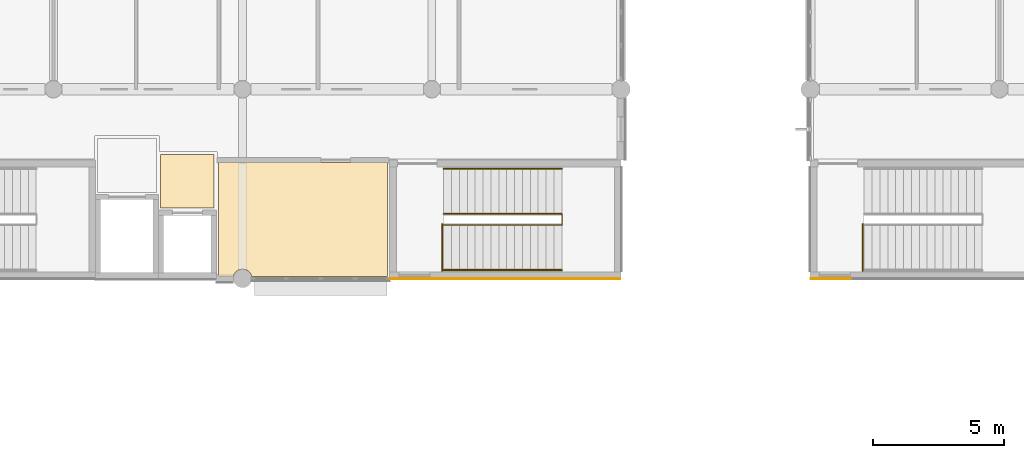
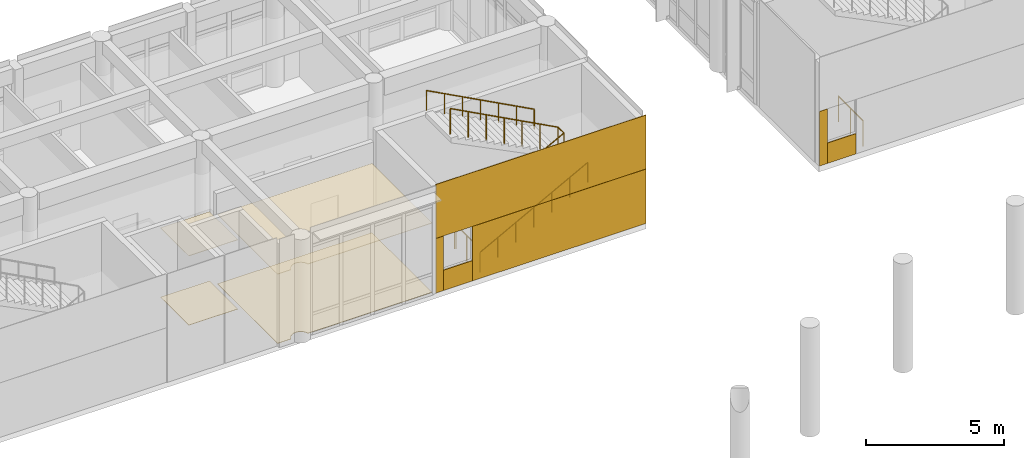
# One storey, part 83 of 92: 10 coverings, 5 railings.
"""IFC4 building model written with IfcOpenShell, lengths in metres."""

import ifcopenshell
import ifcopenshell.guid

model = None  # the IFC model being written
_history = None  # IfcOwnerHistory: only IFC2X3 demands one
_inside = {}  # id of a spatial element -> (the spatial element, [elements in it])
_under = {}  # id of a project, library or spatial element -> (it, [spatial elements below it])
_declared = {}  # id of a project -> (the project, [libraries it declares])
_typed = {}  # id of a type object -> (the type object, [elements of that type])
_made_of = {}  # id of a material, layer set ... -> (it, [elements and type objects made of it])


def new_model(schema):
    """Start an empty IFC model of exactly this schema.

    Asked for "IFC4X3", IfcOpenShell would pick the latest addendum, in which some entities
    have other attributes; the version numbers below select the first issue.
    IFC2X3 requires an IfcOwnerHistory on every rooted entity: one is made here for all.
    """
    global model, _history
    if schema == "IFC4X3":
        model = ifcopenshell.file(schema_version=(4, 3, 0, 0))
    else:
        model = ifcopenshell.file(schema=schema)
    _inside.clear()
    _under.clear()
    _declared.clear()
    _typed.clear()
    _made_of.clear()
    _history = None
    if model.schema == "IFC2X3":
        org = make("IfcOrganization", Name="unknown")
        user = make(
            "IfcPersonAndOrganization",
            ThePerson=make("IfcPerson", FamilyName="unknown"),
            TheOrganization=org,
        )
        app = make(
            "IfcApplication",
            ApplicationDeveloper=org,
            Version="unknown",
            ApplicationFullName="unknown",
            ApplicationIdentifier="unknown",
        )
        _history = make(
            "IfcOwnerHistory",
            OwningUser=user,
            OwningApplication=app,
            ChangeAction="ADDED",
            CreationDate=0,
        )
    return model


def make(cls, **values):
    """One entity of the class cls with the attributes given. An attribute that is None is left unset."""
    return model.create_entity(
        cls, **{name: value for name, value in values.items() if value is not None}
    )


def rooted(cls, **values):
    """An entity with a GlobalId (a new one), such as an element, a storey or a relation."""
    return make(cls, GlobalId=ifcopenshell.guid.new(), OwnerHistory=_history, **values)


def si_unit(unit_type, name, prefix=None):
    """IfcSIUnit, for example si_unit("LENGTHUNIT", "METRE", prefix="MILLI")."""
    return make("IfcSIUnit", UnitType=unit_type, Prefix=prefix, Name=name)


def assignment(units):
    """IfcUnitAssignment: the units of a project."""
    return None if units is None else make("IfcUnitAssignment", Units=units)


def point(xyz):
    """IfcCartesianPoint."""
    return None if xyz is None else make("IfcCartesianPoint", Coordinates=xyz)


def direction(xyz):
    """IfcDirection."""
    return None if xyz is None else make("IfcDirection", DirectionRatios=xyz)


def frame(location, z_axis=None, x_axis=None):
    """IfcAxis2Placement3D, a coordinate frame: its origin and axes. An axis left out is left unset."""
    return make(
        "IfcAxis2Placement3D",
        Location=point(location),
        Axis=direction(z_axis),
        RefDirection=direction(x_axis),
    )


def frame_2d(location, x_axis=None):
    """IfcAxis2Placement2D, a coordinate frame in the plane: its origin and x axis."""
    return make(
        "IfcAxis2Placement2D", Location=point(location), RefDirection=direction(x_axis)
    )


def origin():
    """The frame at (0, 0, 0) with its axes left unset."""
    return frame((0.0, 0.0, 0.0))


def origin_2d():
    """The frame at (0, 0) in the plane with its x axis left unset."""
    return frame_2d((0.0, 0.0))


def place(relative_to, where):
    """IfcLocalPlacement: puts the frame where relative to a parent placement (None: the world)."""
    return make(
        "IfcLocalPlacement", PlacementRelTo=relative_to, RelativePlacement=where
    )


def context(
    kind, dimensions, precision=None, world=None, true_north=None, identifier=None
):
    """IfcGeometricRepresentationContext, for example the 3D "Model" context."""
    return make(
        "IfcGeometricRepresentationContext",
        ContextIdentifier=identifier,
        ContextType=kind,
        CoordinateSpaceDimension=dimensions,
        Precision=precision,
        WorldCoordinateSystem=world,
        TrueNorth=true_north,
    )


def subcontext(parent, identifier, kind, view, scale=None):
    """IfcGeometricRepresentationSubContext, for example "Body" below "Model"."""
    return make(
        "IfcGeometricRepresentationSubContext",
        ContextIdentifier=identifier,
        ContextType=kind,
        ParentContext=parent,
        TargetScale=scale,
        TargetView=view,
    )


def project(units=None, contexts=None):
    """IfcProject with its units and contexts."""
    return rooted(
        "IfcProject",
        Name="project",
        RepresentationContexts=contexts,
        UnitsInContext=assignment(units),
    )


def spatial(cls, under=None, at=None, **own):
    """A site, building, storey or space (cls), placed at a placement, below another one or the project."""
    s = rooted(cls, ObjectPlacement=at, **own)
    if under is not None:
        _under.setdefault(under.id(), (under, []))[1].append(s)
    return s


def polyline(points):
    """IfcPolyline through the points."""
    return make("IfcPolyline", Points=[point(p) for p in points])


def profile(cls, at=None, kind="AREA", **sizes):
    """A parametric profile (cls). Its sizes go by their IFC names, for example OverallWidth=200.0."""
    return make(cls, ProfileType=kind, Position=at, **sizes)


def rectangle(**sizes):
    """IfcRectangleProfileDef."""
    return profile("IfcRectangleProfileDef", **sizes)


def circle(**sizes):
    """IfcCircleProfileDef."""
    return profile("IfcCircleProfileDef", **sizes)


def outline(outer, holes=None, kind="AREA"):
    """IfcArbitraryClosedProfileDef: a profile drawn as a closed curve; with holes, ...WithVoids."""
    if holes is None:
        return make("IfcArbitraryClosedProfileDef", ProfileType=kind, OuterCurve=outer)
    return make(
        "IfcArbitraryProfileDefWithVoids",
        ProfileType=kind,
        OuterCurve=outer,
        InnerCurves=holes,
    )


def extrude(swept, where, along, depth):
    """IfcExtrudedAreaSolid: the profile swept, set in the frame where, extruded along a direction by depth."""
    return make(
        "IfcExtrudedAreaSolid",
        SweptArea=swept,
        Position=where,
        ExtrudedDirection=direction(along),
        Depth=depth,
    )


def shape(context_of_items, identifier, shape_type, items):
    """IfcShapeRepresentation: the items that make up one representation, for example the "Body"."""
    return make(
        "IfcShapeRepresentation",
        ContextOfItems=context_of_items,
        RepresentationIdentifier=identifier,
        RepresentationType=shape_type,
        Items=items,
    )


def material(Name=None, Category=None):
    """IfcMaterial."""
    return make("IfcMaterial", Name=Name, Category=Category)


def layer(
    of_material, thickness, ventilated=None, Name=None, Category=None, Priority=None
):
    """IfcMaterialLayer: one layer of a wall or slab, of a material (None: an air gap)."""
    return make(
        "IfcMaterialLayer",
        Material=of_material,
        LayerThickness=thickness,
        IsVentilated=ventilated,
        Name=Name,
        Category=Category,
        Priority=Priority,
    )


def layer_set(layers, Name=None):
    """IfcMaterialLayerSet."""
    return make("IfcMaterialLayerSet", MaterialLayers=layers, LayerSetName=Name)


def made_of(thing, what):
    """Note that an element or type object is made of a material, layer set ...; save() writes the relation."""
    if what is not None:
        _made_of.setdefault(what.id(), (what, []))[1].append(thing)
    return thing


def type_object(cls, material=None, **own):
    """A type object (cls), such as IfcWallType, which elements share."""
    return made_of(rooted(cls, **own), material)


def element(
    cls,
    number,
    at=None,
    inside=None,
    cuts=None,
    type_object=None,
    material=None,
    context=None,
    identifier="Body",
    shape_type=None,
    held_by="IfcProductDefinitionShape",
    body=None,
    shapes=None,
    **own,
):
    """One element of the class cls, such as IfcWall. Its Tag is "e" and its number.

    at: its placement. inside: the storey or other place that contains it. cuts: it is an
    opening in that element (IfcRelVoidsElement). A single representation is given by context,
    identifier, shape_type and body (its items); several are given by shapes. held_by: the class
    of the entity that holds the representations. save() writes the other relations.
    """
    e = rooted(cls, Tag="e%d" % number, ObjectPlacement=at, **own)
    if body is not None:
        shapes = [shape(context, identifier, shape_type, body)]
    if shapes is not None:
        e.Representation = make(held_by, Representations=shapes)
    if inside is not None:
        _inside.setdefault(inside.id(), (inside, []))[1].append(e)
    if cuts is not None:
        rooted(
            "IfcRelVoidsElement", RelatingBuildingElement=cuts, RelatedOpeningElement=e
        )
    if type_object is not None:
        _typed.setdefault(type_object.id(), (type_object, []))[1].append(e)
    return made_of(e, material)


def aggregate(whole, parts):
    """IfcRelAggregates: a whole, such as a stair, and the parts it consists of."""
    return rooted("IfcRelAggregates", RelatingObject=whole, RelatedObjects=parts)


def save(model, path):
    """Write the relations noted so far, then the file.

    IfcRelAggregates (storeys below a building ...), IfcRelContainedInSpatialStructure (elements
    in a storey), IfcRelDefinesByType, IfcRelAssociatesMaterial and IfcRelDeclares: one each for
    every whole, place, type object, material and project.
    """
    for whole, parts in _under.values():
        aggregate(whole, parts)
    for where, things in _inside.values():
        rooted(
            "IfcRelContainedInSpatialStructure",
            RelatedElements=things,
            RelatingStructure=where,
        )
    for kind, things in _typed.values():
        rooted("IfcRelDefinesByType", RelatedObjects=things, RelatingType=kind)
    for what, things in _made_of.values():
        rooted("IfcRelAssociatesMaterial", RelatedObjects=things, RelatingMaterial=what)
    for by, libraries in _declared.values():
        rooted("IfcRelDeclares", RelatingContext=by, RelatedDefinitions=libraries)
    model.write(path)


model = new_model("IFC4")

# Units and contexts
model_context = context("Model", 3, precision=1e-05, world=origin(), true_north=direction((0.0, 1.0)))
body_context = subcontext(model_context, "Body", "Model", "MODEL_VIEW")
ifc_project = project(units=[si_unit("LENGTHUNIT", "METRE"), si_unit("AREAUNIT", "SQUARE_METRE"), si_unit("VOLUMEUNIT", "CUBIC_METRE"), si_unit("PLANEANGLEUNIT", "RADIAN"), si_unit("MASSUNIT", "GRAM", prefix="KILO")], contexts=[model_context])

# Site, building, storey
site_placement = place(None, origin())
site = spatial("IfcSite", under=ifc_project, at=site_placement, CompositionType="ELEMENT")
building_placement = place(site_placement, origin())
building = spatial("IfcBuilding", under=site, at=building_placement, Name="Namkhue Oval Health Centre", CompositionType="ELEMENT")
storey_placement = place(building_placement, frame((0.0, 0.0, 4.800048828125)))
storey = spatial("IfcBuildingStorey", under=building, at=storey_placement, Name="L01", CompositionType="ELEMENT", Elevation=4.800048828125)

# Coverings
ifc_material_1 = material(Name="Acoustic mineral-fibre cleanroom ceiling", Category="gypsum")
ifc_layer_1 = layer(ifc_material_1, 0.02001953125)
ifc_layer_set_1 = layer_set([ifc_layer_1], Name="Acoustic mineral-fibre cleanroom ceiling")
covering_type_1 = type_object("IfcCoveringType", Name="ACOUSTIC CLEANROOM CEILING 20", PredefinedType="CEILING", material=ifc_layer_set_1)
covering_1_placement = place(storey_placement, frame((0.0, 0.0, 3.050048828125)))
element("IfcCovering", 1, at=covering_1_placement, inside=storey, type_object=covering_type_1, Name="Acoustic Ceiling L01-LL2 Lift Lobby LF-02", PredefinedType="CEILING", context=body_context, shape_type="SweptSolid", body=[
    extrude(outline(polyline([(68.8798828125, 92.679931640625), (68.8798828125, 94.719970703125), (70.919921875, 94.719970703125), (70.919921875, 92.679931640625), (68.8798828125, 92.679931640625)])), origin(), (0.0, 0.0, 1.0), 0.02001953125),
])
covering_2_placement = place(storey_placement, frame((0.0, 0.0, 3.050048828125)))
element("IfcCovering", 2, at=covering_2_placement, inside=storey, type_object=covering_type_1, Name="Acoustic Ceiling L01-213 Adolescent Medicine Clinic", PredefinedType="CEILING", context=body_context, shape_type="SweptSolid", body=[
    extrude(outline(polyline([(72.348876953125, 90.0849609375), (72.311767578125, 90.179931640625), (72.254638671875, 90.254638671875), (72.179931640625, 90.311767578125), (72.09326171875, 90.34765625), (72.0, 90.360107421875), (71.90673828125, 90.34765625), (71.820068359375, 90.311767578125), (71.745361328125, 90.254638671875), (71.688232421875, 90.179931640625), (71.651123046875, 90.0849609375), (71.080078125, 90.0849609375), (71.080078125, 94.419921875), (77.52001953125, 94.419921875), (77.52001953125, 90.0849609375), (72.348876953125, 90.0849609375)])), origin(), (0.0, 0.0, 1.0), 0.02001953125),
])
ifc_material_2 = material(Name="Homogeneous anti-bacterial clinical vinyl flooring", Category="plastic")
ifc_layer_2 = layer(ifc_material_2, 0.014892578125)
ifc_layer_set_2 = layer_set([ifc_layer_2], Name="Homogeneous anti-bacterial clinical vinyl flooring")
covering_type_2 = type_object("IfcCoveringType", Name="CLINICAL ANTIBACTERIAL VINYL FLOORING 15", PredefinedType="FLOORING", material=ifc_layer_set_2)
covering_3_placement = place(storey_placement, origin())
element("IfcCovering", 3, at=covering_3_placement, inside=storey, type_object=covering_type_2, Name="Clinical Flooring L01-LL2 Lift Lobby LF-02", PredefinedType="FLOORING", context=body_context, shape_type="SweptSolid", body=[
    extrude(outline(polyline([(68.8798828125, 92.679931640625), (68.8798828125, 94.719970703125), (70.919921875, 94.719970703125), (70.919921875, 92.679931640625), (68.8798828125, 92.679931640625)])), origin(), (0.0, 0.0, 1.0), 0.014892578125),
])
covering_4_placement = place(storey_placement, origin())
element("IfcCovering", 4, at=covering_4_placement, inside=storey, type_object=covering_type_2, Name="Clinical Flooring L01-213 Adolescent Medicine Clinic", PredefinedType="FLOORING", context=body_context, shape_type="SweptSolid", body=[
    extrude(outline(polyline([(72.348876953125, 90.0849609375), (72.311767578125, 90.179931640625), (72.254638671875, 90.254638671875), (72.179931640625, 90.311767578125), (72.09326171875, 90.34765625), (72.0, 90.360107421875), (71.90673828125, 90.34765625), (71.820068359375, 90.311767578125), (71.745361328125, 90.254638671875), (71.688232421875, 90.179931640625), (71.651123046875, 90.0849609375), (71.080078125, 90.0849609375), (71.080078125, 94.419921875), (77.52001953125, 94.419921875), (77.52001953125, 90.0849609375), (72.348876953125, 90.0849609375)])), origin(), (0.0, 0.0, 1.0), 0.014892578125),
])

# Railings
ifc_material_3 = material(Name="Brushed stainless steel 316L balustrade with laminated glass infill", Category="steel")
railing_type_1 = type_object("IfcRailingType", Name="INTERIOR BALUSTRADE GUARD 1150", PredefinedType="BALUSTRADE", material=ifc_material_3)
railing_1_placement = place(storey_placement, frame((79.60009765625, 90.2900390625, 0.0)))
element("IfcRailing", 5, at=railing_1_placement, inside=storey, type_object=railing_type_1, Name="Stair ST-04 L01 Landing Well Edge Guard", PredefinedType="BALUSTRADE", context=body_context, shape_type="SweptSolid", body=[
    extrude(circle(Radius=0.02392578125, at=origin_2d()), frame((0.0, 0.0, 1.1259765625), z_axis=(0.0, 1.0, 0.0), x_axis=(-1.0, 0.0, 0.0)), (0.0, 0.0, 1.0), 1.77001953125),
    extrude(circle(Radius=0.02099609375, at=origin_2d()), origin(), (0.0, 0.0, 1.0), 1.101806640625),
    extrude(circle(Radius=0.02099609375, at=origin_2d()), frame((0.0, 0.885009765625, 0.0)), (0.0, 0.0, 1.0), 1.101806640625),
    extrude(circle(Radius=0.02099609375, at=origin_2d()), frame((0.0, 1.77001953125, 0.0)), (0.0, 0.0, 1.0), 1.101806640625),
])
railing_2_placement = place(storey_placement, frame((79.64990234375, 92.0400390625, 0.0)))
element("IfcRailing", 6, at=railing_2_placement, inside=storey, type_object=railing_type_1, Name="Stair ST-04 L01 Inner Well Guard", PredefinedType="BALUSTRADE", context=body_context, shape_type="SweptSolid", body=[
    extrude(circle(Radius=0.02392578125, at=origin_2d()), frame((0.0, 0.0, 1.1259765625), z_axis=(0.882360891967, 0.0, 0.470573327259), x_axis=(0.0, 1.0, 0.0)), (0.0, 0.0, 1.0), 5.099853515625),
    extrude(circle(Radius=0.02392578125, at=origin_2d()), frame((4.5, 0.0, 3.52587890625), z_axis=(0.0, 1.0, 0.0), x_axis=(-1.0, 0.0, 0.0)), (0.0, 0.0, 1.0), 0.419921875),
    extrude(circle(Radius=0.02392578125, at=origin_2d()), frame((4.5, 0.419921875, 3.52587890625), z_axis=(-0.882341014787, 0.0, 0.470610596591), x_axis=(0.0, -1.0, 0.0)), (0.0, 0.0, 1.0), 5.10009765625),
    extrude(circle(Radius=0.02099609375, at=origin_2d()), origin(), (0.0, 0.0, 1.0), 1.101806640625),
    extrude(circle(Radius=0.02099609375, at=origin_2d()), frame((0.75, 0.0, 0.39990234375)), (0.0, 0.0, 1.0), 1.101806640625),
    extrude(circle(Radius=0.02099609375, at=origin_2d()), frame((1.5, 0.0, 0.800048828125)), (0.0, 0.0, 1.0), 1.101806640625),
    extrude(circle(Radius=0.02099609375, at=origin_2d()), frame((2.25, 0.0, 1.199951171875)), (0.0, 0.0, 1.0), 1.101806640625),
    extrude(circle(Radius=0.02099609375, at=origin_2d()), frame((3.0, 0.0, 1.599853515625)), (0.0, 0.0, 1.0), 1.101806640625),
    extrude(circle(Radius=0.02099609375, at=origin_2d()), frame((3.75, 0.0, 2.0)), (0.0, 0.0, 1.0), 1.101806640625),
    extrude(circle(Radius=0.02099609375, at=origin_2d()), frame((4.5, 0.0, 2.39990234375)), (0.0, 0.0, 1.0), 1.101806640625),
    extrude(circle(Radius=0.02099609375, at=origin_2d()), frame((4.5, 0.419921875, 2.39990234375)), (0.0, 0.0, 1.0), 1.101806640625),
    extrude(circle(Radius=0.02099609375, at=origin_2d()), frame((3.75, 0.419921875, 2.7998046875)), (0.0, 0.0, 1.0), 1.101806640625),
    extrude(circle(Radius=0.02099609375, at=origin_2d()), frame((3.0, 0.419921875, 3.199951171875)), (0.0, 0.0, 1.0), 1.101806640625),
    extrude(circle(Radius=0.02099609375, at=origin_2d()), frame((2.25, 0.419921875, 3.60009765625)), (0.0, 0.0, 1.0), 1.101806640625),
    extrude(circle(Radius=0.02099609375, at=origin_2d()), frame((1.5, 0.419921875, 4.0)), (0.0, 0.0, 1.0), 1.101806640625),
    extrude(circle(Radius=0.02099609375, at=origin_2d()), frame((0.75, 0.419921875, 4.39990234375)), (0.0, 0.0, 1.0), 1.101806640625),
    extrude(circle(Radius=0.02099609375, at=origin_2d()), frame((0.0, 0.419921875, 4.800048828125)), (0.0, 0.0, 1.0), 1.101806640625),
])
railing_3_placement = place(storey_placement, frame((95.60009765625, 90.2900390625, 0.0)))
element("IfcRailing", 7, at=railing_3_placement, inside=storey, type_object=railing_type_1, Name="Stair ST-05 L01 Landing Well Edge Guard", PredefinedType="BALUSTRADE", context=body_context, shape_type="SweptSolid", body=[
    extrude(circle(Radius=0.02392578125, at=origin_2d()), frame((0.0, 0.0, 1.1259765625), z_axis=(0.0, 1.0, 0.0), x_axis=(-1.0, 0.0, 0.0)), (0.0, 0.0, 1.0), 1.77001953125),
    extrude(circle(Radius=0.02099609375, at=origin_2d()), origin(), (0.0, 0.0, 1.0), 1.101806640625),
    extrude(circle(Radius=0.02099609375, at=origin_2d()), frame((0.0, 0.885009765625, 0.0)), (0.0, 0.0, 1.0), 1.101806640625),
    extrude(circle(Radius=0.02099609375, at=origin_2d()), frame((0.0, 1.77001953125, 0.0)), (0.0, 0.0, 1.0), 1.101806640625),
])
ifc_material_4 = material(Name="Brushed stainless steel 304 tubular handrail", Category="steel")
railing_type_2 = type_object("IfcRailingType", Name="INTERIOR STAIR HANDRAIL 900", PredefinedType="HANDRAIL", material=ifc_material_4)
railing_4_placement = place(storey_placement, frame((79.64990234375, 90.320068359375, 0.0)))
element("IfcRailing", 8, at=railing_4_placement, inside=storey, type_object=railing_type_2, Name="Stair ST-04 L01 Flight 1 Handrail", PredefinedType="HANDRAIL", context=body_context, shape_type="SweptSolid", body=[
    extrude(circle(Radius=0.02392578125, at=origin_2d()), frame((0.0, 0.0, 0.8759765625), z_axis=(0.882360891967, 0.0, 0.470573327259), x_axis=(0.0, 1.0, 0.0)), (0.0, 0.0, 1.0), 5.099853515625),
    extrude(circle(Radius=0.02099609375, at=origin_2d()), origin(), (0.0, 0.0, 1.0), 0.851806640625),
    extrude(circle(Radius=0.02099609375, at=origin_2d()), frame((0.75, 0.0, 0.39990234375)), (0.0, 0.0, 1.0), 0.851806640625),
    extrude(circle(Radius=0.02099609375, at=origin_2d()), frame((1.5, 0.0, 0.800048828125)), (0.0, 0.0, 1.0), 0.851806640625),
    extrude(circle(Radius=0.02099609375, at=origin_2d()), frame((2.25, 0.0, 1.199951171875)), (0.0, 0.0, 1.0), 0.851806640625),
    extrude(circle(Radius=0.02099609375, at=origin_2d()), frame((3.0, 0.0, 1.599853515625)), (0.0, 0.0, 1.0), 0.851806640625),
    extrude(circle(Radius=0.02099609375, at=origin_2d()), frame((3.75, 0.0, 2.0)), (0.0, 0.0, 1.0), 0.851806640625),
    extrude(circle(Radius=0.02099609375, at=origin_2d()), frame((4.5, 0.0, 2.39990234375)), (0.0, 0.0, 1.0), 0.851806640625),
])
railing_5_placement = place(storey_placement, frame((84.14990234375, 94.179931640625, 2.39990234375)))
element("IfcRailing", 9, at=railing_5_placement, inside=storey, type_object=railing_type_2, Name="Stair ST-04 L01 Flight 2 Handrail", PredefinedType="HANDRAIL", context=body_context, shape_type="SweptSolid", body=[
    extrude(circle(Radius=0.02392578125, at=origin_2d()), frame((0.0, 0.0, 0.8759765625), z_axis=(-0.882341014787, 0.0, 0.470610596591), x_axis=(0.0, -1.0, 0.0)), (0.0, 0.0, 1.0), 5.10009765625),
    extrude(circle(Radius=0.02099609375, at=origin_2d()), origin(), (0.0, 0.0, 1.0), 0.851806640625),
    extrude(circle(Radius=0.02099609375, at=origin_2d()), frame((-0.75, 0.0, 0.39990234375)), (0.0, 0.0, 1.0), 0.851806640625),
    extrude(circle(Radius=0.02099609375, at=origin_2d()), frame((-1.5, 0.0, 0.800048828125)), (0.0, 0.0, 1.0), 0.851806640625),
    extrude(circle(Radius=0.02099609375, at=origin_2d()), frame((-2.25, 0.0, 1.2001953125)), (0.0, 0.0, 1.0), 0.851806640625),
    extrude(circle(Radius=0.02099609375, at=origin_2d()), frame((-3.0, 0.0, 1.60009765625)), (0.0, 0.0, 1.0), 0.851806640625),
    extrude(circle(Radius=0.02099609375, at=origin_2d()), frame((-3.75, 0.0, 2.0)), (0.0, 0.0, 1.0), 0.851806640625),
    extrude(circle(Radius=0.02099609375, at=origin_2d()), frame((-4.5, 0.0, 2.400146484375)), (0.0, 0.0, 1.0), 0.851806640625),
])

# Coverings
ifc_material_5 = material(Name="White glass-fibre reinforced concrete GRC rainscreen cladding", Category="concrete")
ifc_layer_3 = layer(ifc_material_5, 0.02490234375)
ifc_layer_set_3 = layer_set([ifc_layer_3], Name="White glass-fibre reinforced concrete GRC rainscreen cladding")
covering_type_3 = type_object("IfcCoveringType", Name="WHITE GRC RAINSCREEN CLADDING 25", PredefinedType="CLADDING", material=ifc_layer_set_3)
covering_5_placement = place(storey_placement, frame((82.0, 89.988037109375, 2.4150390625), z_axis=(0.0, 0.0, 1.0), x_axis=(1.0, 0.0, 0.0)))
element("IfcCovering", 10, at=covering_5_placement, inside=storey, type_object=covering_type_3, Name="Core SC-04 L01 Core S White GRC Cladding 1", PredefinedType="CLADDING", context=body_context, shape_type="SweptSolid", body=[
    extrude(rectangle(XDim=8.760009765625, YDim=0.02490234375, at=origin_2d()), origin(), (0.0, 0.0, 1.0), 2.375),
])
covering_6_placement = place(storey_placement, frame((77.777587890625, 89.988037109375, 0.010009765625), z_axis=(0.0, 0.0, 1.0), x_axis=(1.0, 0.0, 0.0)))
element("IfcCovering", 11, at=covering_6_placement, inside=storey, type_object=covering_type_3, Name="Core SC-04 L01 Core S White GRC Cladding 2", PredefinedType="CLADDING", context=body_context, shape_type="SweptSolid", body=[
    extrude(rectangle(XDim=0.31494140625, YDim=0.02490234375, at=origin_2d()), origin(), (0.0, 0.0, 1.0), 2.39990234375),
])
covering_7_placement = place(storey_placement, frame((78.5400390625, 89.988037109375, 0.010009765625), z_axis=(0.0, 0.0, 1.0), x_axis=(1.0, 0.0, 0.0)))
element("IfcCovering", 12, at=covering_7_placement, inside=storey, type_object=covering_type_3, Name="Core SC-04 L01 Core S White GRC Cladding 3", PredefinedType="CLADDING", context=body_context, shape_type="SweptSolid", body=[
    extrude(rectangle(XDim=1.199951171875, YDim=0.02490234375, at=origin_2d()), origin(), (0.0, 0.0, 1.0), 0.89501953125),
])
covering_8_placement = place(storey_placement, frame((82.762451171875, 89.988037109375, 0.010009765625), z_axis=(0.0, 0.0, 1.0), x_axis=(1.0, 0.0, 0.0)))
element("IfcCovering", 13, at=covering_8_placement, inside=storey, type_object=covering_type_3, Name="Core SC-04 L01 Core S White GRC Cladding 4", PredefinedType="CLADDING", context=body_context, shape_type="SweptSolid", body=[
    extrude(rectangle(XDim=7.235107421875, YDim=0.02490234375, at=origin_2d()), origin(), (0.0, 0.0, 1.0), 2.39990234375),
])
covering_9_placement = place(storey_placement, frame((93.777587890625, 89.988037109375, 0.010009765625), z_axis=(0.0, 0.0, 1.0), x_axis=(1.0, 0.0, 0.0)))
element("IfcCovering", 14, at=covering_9_placement, inside=storey, type_object=covering_type_3, Name="Core SC-05 L01 Core S White GRC Cladding 2", PredefinedType="CLADDING", context=body_context, shape_type="SweptSolid", body=[
    extrude(rectangle(XDim=0.31494140625, YDim=0.02490234375, at=origin_2d()), origin(), (0.0, 0.0, 1.0), 2.39990234375),
])
covering_10_placement = place(storey_placement, frame((94.5400390625, 89.988037109375, 0.010009765625), z_axis=(0.0, 0.0, 1.0), x_axis=(1.0, 0.0, 0.0)))
element("IfcCovering", 15, at=covering_10_placement, inside=storey, type_object=covering_type_3, Name="Core SC-05 L01 Core S White GRC Cladding 3", PredefinedType="CLADDING", context=body_context, shape_type="SweptSolid", body=[
    extrude(rectangle(XDim=1.199951171875, YDim=0.02490234375, at=origin_2d()), origin(), (0.0, 0.0, 1.0), 0.89501953125),
])

save(model, "model.ifc")
